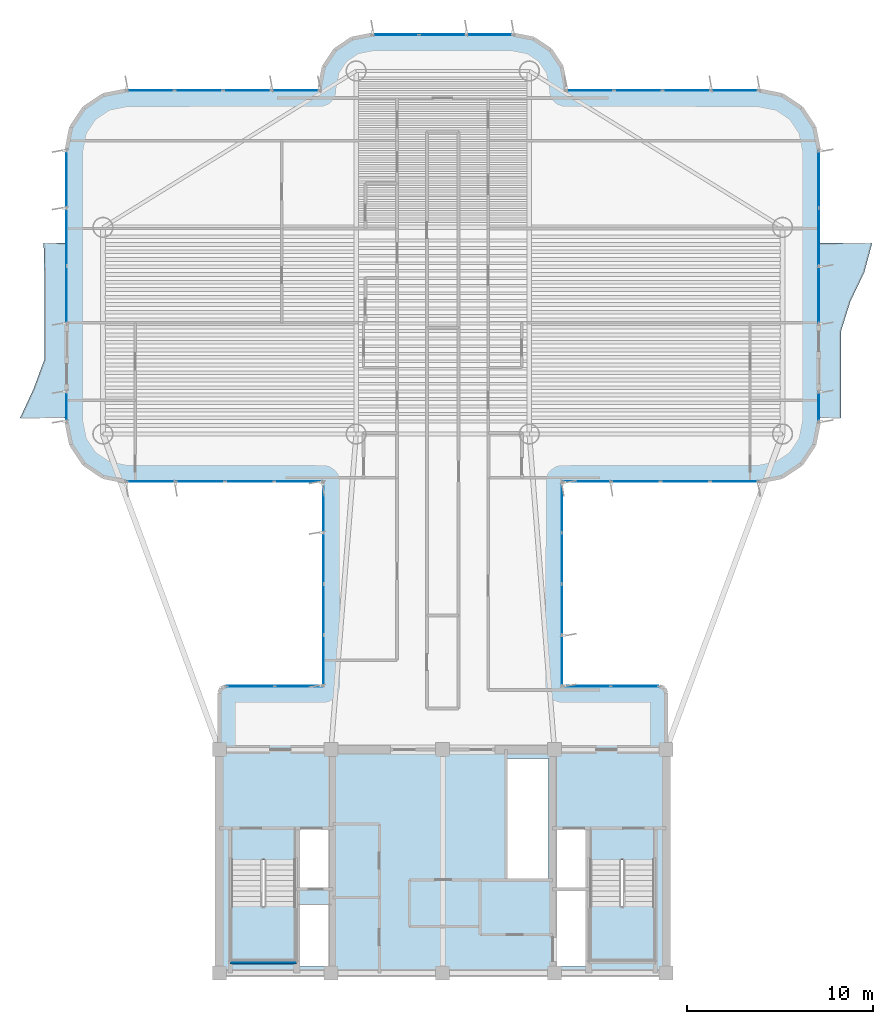
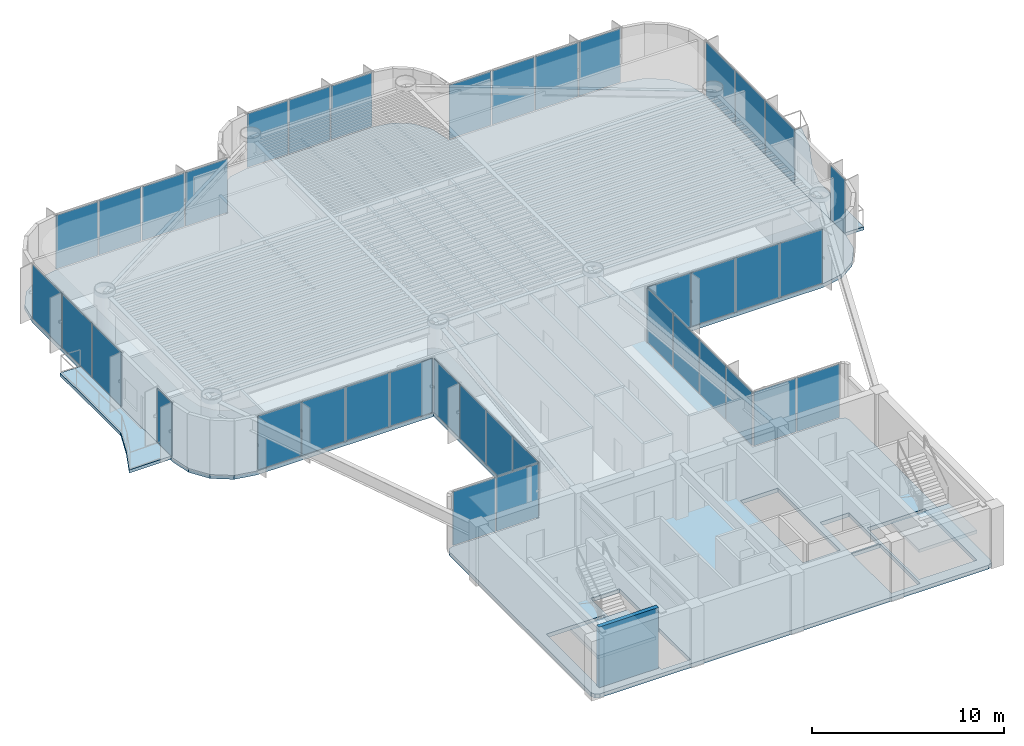
# One storey, part 8 of 14: 39 plates, 5 slabs, 1 wall, 15 elements without a shape of their own.
"""IFC4 building model written with IfcOpenShell, lengths in metres."""

from ifc_helpers import new_model, si_unit, direction, frame, frame_2d, origin, origin_2d, place, context, subcontext, project, spatial, polyline, rectangle, outline, extrude, source, transform, mapped, material, layer, layer_set, type_object, element, aggregate, save


model = new_model("IFC4")

# Units and contexts
model_context = context("Model", 3, precision=1e-05, world=origin(), true_north=direction((0.0, 1.0)))
body_context = subcontext(model_context, "Body", "Model", "MODEL_VIEW")
ifc_project = project(units=[si_unit("LENGTHUNIT", "METRE"), si_unit("AREAUNIT", "SQUARE_METRE"), si_unit("VOLUMEUNIT", "CUBIC_METRE"), si_unit("PLANEANGLEUNIT", "RADIAN"), si_unit("MASSUNIT", "GRAM", prefix="KILO")], contexts=[model_context])

# Site, building, storey
site_placement = place(None, origin())
site = spatial("IfcSite", under=ifc_project, at=site_placement, CompositionType="ELEMENT")
building_placement = place(site_placement, origin())
building = spatial("IfcBuilding", under=site, at=building_placement, Name="Brelvock Crest Care Tower", CompositionType="ELEMENT")
storey_placement = place(building_placement, frame((0.0, 0.0, 205.56005859375)))
storey = spatial("IfcBuildingStorey", under=building, at=storey_placement, Name="L52", CompositionType="ELEMENT", Elevation=205.56005859375)

# Slabs
ifc_material_1 = material(Name="Concrete N50 (50 MPa)", Category="concrete")
ifc_layer_1 = layer(ifc_material_1, 0.25, Name="SLB-FL3")
ifc_layer_set_1 = layer_set([ifc_layer_1], Name="Concrete N50 (50 MPa)")
slab_type_1 = type_object("IfcSlabType", Name="SLB-FL3", PredefinedType="FLOOR", material=ifc_layer_set_1)
slab_1_placement = place(storey_placement, frame((0.0, 0.0, -0.25)))
element("IfcSlab", 1, at=slab_1_placement, inside=storey, type_object=slab_type_1, Name="L52 Main Structural Slab", PredefinedType="FLOOR", context=body_context, shape_type="SweptSolid", body=[
    extrude(outline(polyline([(47.64990234375, 21.39990234375), (42.39990234375, 21.39990234375), (42.39990234375, 32.39990234375), (53.0, 32.39990234375), (54.224609375, 32.6435546875), (55.2626953125, 33.33740234375), (55.956298828125, 34.37548828125), (56.199951171875, 35.60009765625), (56.199951171875, 50.199951171875), (55.956298828125, 51.424560546875), (55.2626953125, 52.462646484375), (54.224609375, 53.156494140625), (53.0, 53.39990234375), (42.60009765625, 53.39990234375), (42.60009765625, 53.60009765625), (42.386962890625, 54.67138671875), (41.77978515625, 55.579833984375), (40.87158203125, 56.18701171875), (39.800048828125, 56.39990234375), (32.199951171875, 56.39990234375), (31.12841796875, 56.18701171875), (30.22021484375, 55.579833984375), (29.613037109375, 54.67138671875), (29.39990234375, 53.60009765625), (29.39990234375, 53.39990234375), (19.0, 53.39990234375), (17.775390625, 53.156494140625), (16.7373046875, 52.462646484375), (16.043701171875, 51.424560546875), (15.800048828125, 50.199951171875), (15.800048828125, 35.60009765625), (16.043701171875, 34.37548828125), (16.7373046875, 33.33740234375), (17.775390625, 32.6435546875), (19.0, 32.39990234375), (29.60009765625, 32.39990234375), (29.60009765625, 21.39990234375), (24.35009765625, 21.39990234375), (24.1025390625, 21.297607421875), (24.0, 21.050048828125), (24.0, 6.35009765625), (24.1025390625, 6.1025390625), (24.35009765625, 6.0), (47.64990234375, 6.0), (47.8974609375, 6.1025390625), (48.0, 6.35009765625), (48.0, 21.050048828125), (47.8974609375, 21.297607421875), (47.64990234375, 21.39990234375)]), holes=[polyline([(28.239990234375, 10.580078125), (29.97998046875, 10.580078125), (29.97998046875, 13.739990234375), (28.239990234375, 13.739990234375), (28.239990234375, 10.580078125)]), polyline([(42.02001953125, 10.580078125), (43.760009765625, 10.580078125), (43.760009765625, 13.739990234375), (42.02001953125, 13.739990234375), (42.02001953125, 10.580078125)]), polyline([(28.239990234375, 6.340087890625), (29.97998046875, 6.340087890625), (29.97998046875, 9.64990234375), (28.239990234375, 9.64990234375), (28.239990234375, 6.340087890625)]), polyline([(24.6298828125, 12.080078125), (24.6298828125, 6.699951171875), (28.110107421875, 6.699951171875), (28.110107421875, 12.080078125), (24.6298828125, 12.080078125)]), polyline([(43.889892578125, 12.080078125), (43.889892578125, 6.699951171875), (47.3701171875, 6.699951171875), (47.3701171875, 12.080078125), (43.889892578125, 12.080078125)]), polyline([(42.02001953125, 6.340087890625), (43.760009765625, 6.340087890625), (43.760009765625, 10.5), (42.02001953125, 10.5), (42.02001953125, 6.340087890625)]), polyline([(39.429931640625, 11.030029296875), (41.669921875, 11.030029296875), (41.669921875, 17.52001953125), (39.429931640625, 17.52001953125), (39.429931640625, 11.030029296875)])]), origin(), (0.0, 0.0, 1.0), 0.25),
])
ifc_layer_2 = layer(ifc_material_1, 0.199951171875, Name="SLB-WB2")
ifc_layer_set_2 = layer_set([ifc_layer_2], Name="Concrete N50 (50 MPa)")
slab_type_2 = type_object("IfcSlabType", Name="SLB-WB2", PredefinedType="FLOOR", material=ifc_layer_set_2)
slab_2_placement = place(storey_placement, frame((0.0, 0.0, -0.199951171875)))
element("IfcSlab", 2, at=slab_2_placement, inside=storey, type_object=slab_type_2, Name="L52 W Sinusoidal Wave Balcony Slab", PredefinedType="FLOOR", context=body_context, shape_type="SweptSolid", body=[
    extrude(outline(polyline([(15.800048828125, 45.199951171875), (14.565185546875, 45.199951171875), (14.60009765625, 43.63330078125), (14.60009765625, 42.066650390625), (14.60009765625, 40.5), (14.60009765625, 38.933349609375), (14.021484375, 37.36669921875), (13.29541015625, 35.800048828125), (15.800048828125, 35.800048828125), (15.800048828125, 45.199951171875)])), origin(), (0.0, 0.0, 1.0), 0.199951171875),
])
slab_3_placement = place(storey_placement, frame((0.0, 0.0, -0.199951171875)))
element("IfcSlab", 3, at=slab_3_placement, inside=storey, type_object=slab_type_2, Name="L52 E Sinusoidal Wave Balcony Slab", PredefinedType="FLOOR", context=body_context, shape_type="SweptSolid", body=[
    extrude(outline(polyline([(56.199951171875, 35.800048828125), (57.39990234375, 35.800048828125), (57.39990234375, 37.36669921875), (57.39990234375, 38.933349609375), (57.39990234375, 40.5), (57.89111328125, 42.066650390625), (58.64013671875, 43.63330078125), (59.062744140625, 45.199951171875), (56.199951171875, 45.199951171875), (56.199951171875, 35.800048828125)])), origin(), (0.0, 0.0, 1.0), 0.199951171875),
])

# Stair, slab
ifc_material_2 = material(Name="Concrete N40 (40 MPa)", Category="concrete")
stair_type = type_object("IfcStairType", Name="ST-CORE1", PredefinedType="HALF_TURN_STAIR", material=ifc_material_2)
stair_1_placement = place(storey_placement, origin())
stair_1 = element("IfcStair", 4, at=stair_1_placement, inside=storey, type_object=stair_type, Name="L52 Fire-Isolated Core Stair ST-1", PredefinedType="HALF_TURN_STAIR")
ifc_layer_3 = layer(ifc_material_2, 0.199951171875, Name="STL-1")
ifc_layer_set_3 = layer_set([ifc_layer_3], Name="Concrete N40 (40 MPa)")
slab_type_3 = type_object("IfcSlabType", Name="STL-1", PredefinedType="LANDING", material=ifc_layer_set_3)
slab_4_placement = place(storey_placement, frame((0.0, 0.0, 1.68994140625)))
slab_4 = element("IfcSlab", 5, at=slab_4_placement, type_object=slab_type_3, Name="ST-1 landing 1", PredefinedType="LANDING", context=body_context, shape_type="SweptSolid", body=[
    extrude(outline(polyline([(24.6298828125, 9.56005859375), (24.6298828125, 6.699951171875), (28.110107421875, 6.699951171875), (28.110107421875, 9.56005859375), (24.6298828125, 9.56005859375)])), origin(), (0.0, 0.0, 1.0), 0.199951171875),
])
aggregate(stair_1, [slab_4])

stair_2_placement = place(storey_placement, origin())
stair_2 = element("IfcStair", 6, at=stair_2_placement, inside=storey, type_object=stair_type, Name="L52 Fire-Isolated Core Stair ST-2", PredefinedType="HALF_TURN_STAIR")
slab_5_placement = place(storey_placement, frame((0.0, 0.0, 1.68994140625)))
slab_5 = element("IfcSlab", 7, at=slab_5_placement, type_object=slab_type_3, Name="ST-2 landing 1", PredefinedType="LANDING", context=body_context, shape_type="SweptSolid", body=[
    extrude(outline(polyline([(43.889892578125, 9.56005859375), (43.889892578125, 6.699951171875), (47.3701171875, 6.699951171875), (47.3701171875, 9.56005859375), (43.889892578125, 9.56005859375)])), origin(), (0.0, 0.0, 1.0), 0.199951171875),
])
aggregate(stair_2, [slab_5])

# Curtain wall, plates
ifc_material_3 = material(Name="Dark Glass Double Glazed Low-E", Category="glass")
ifc_layer_4 = layer(ifc_material_3, 0.22509765625, Name="CWS-4")
ifc_layer_set_4 = layer_set([ifc_layer_4], Name="Dark Glass Double Glazed Low-E")
curtain_wall_type = type_object("IfcCurtainWallType", Name="CWS-4", PredefinedType="NOTDEFINED", material=ifc_layer_set_4)
curtain_wall_1_placement = place(storey_placement, origin())
curtain_wall_1 = element("IfcCurtainWall", 8, at=curtain_wall_1_placement, inside=storey, type_object=curtain_wall_type, Name="L52 Curtain Wall E10", PredefinedType="NOTDEFINED")
ifc_layer_5 = layer(ifc_material_3, 0.0380859375, Name="CWP-V2")
ifc_layer_set_5 = layer_set([ifc_layer_5], Name="Dark Glass Double Glazed Low-E")
plate_type = type_object("IfcPlateType", Name="CWP-V2", PredefinedType="CURTAIN_PANEL", material=ifc_layer_set_5)
shared_shape_1 = source(origin(), body_context, "Body", "SweptSolid", [
    extrude(rectangle(XDim=2.534912109375, YDim=0.035888671875, at=origin_2d()), origin(), (0.0, 0.0, 1.0), 3.409912109375),
])
plate_1_placement = place(storey_placement, frame((25.677490234375, 21.39990234375, 0.06005859375), z_axis=(0.0, 0.0, 1.0), x_axis=(1.0, 0.0, 0.0)))
plate_1 = element("IfcPlate", 9, at=plate_1_placement, type_object=plate_type, Name="CW-4 panel 1.1", PredefinedType="CURTAIN_PANEL", context=body_context, shape_type="MappedRepresentation", body=[
    mapped(shared_shape_1, transform((0.0, 0.0, 0.0), x_axis=(1.0, 0.0, 0.0), y_axis=(0.0, 1.0, 0.0), z_axis=(0.0, 0.0, 1.0), scale=1.0)),
])
plate_2_placement = place(storey_placement, frame((28.2724609375, 21.39990234375, 0.06005859375), z_axis=(0.0, 0.0, 1.0), x_axis=(1.0, 0.0, 0.0)))
plate_2 = element("IfcPlate", 10, at=plate_2_placement, type_object=plate_type, Name="CW-4 panel 2.1", PredefinedType="CURTAIN_PANEL", context=body_context, shape_type="MappedRepresentation", body=[
    mapped(shared_shape_1, transform((0.0, 0.0, 0.0), x_axis=(1.0, 0.0, 0.0), y_axis=(0.0, 1.0, 0.0), z_axis=(0.0, 0.0, 1.0), scale=1.0)),
])
aggregate(curtain_wall_1, [plate_1, plate_2])

curtain_wall_2_placement = place(storey_placement, origin())
curtain_wall_2 = element("IfcCurtainWall", 11, at=curtain_wall_2_placement, inside=storey, type_object=curtain_wall_type, Name="L52 Curtain Wall E46", PredefinedType="NOTDEFINED")
plate_3_placement = place(storey_placement, frame((43.7275390625, 21.39990234375, 0.06005859375), z_axis=(0.0, 0.0, 1.0), x_axis=(1.0, 0.0, 0.0)))
plate_3 = element("IfcPlate", 12, at=plate_3_placement, type_object=plate_type, Name="CW-4 panel 1.1", PredefinedType="CURTAIN_PANEL", context=body_context, shape_type="MappedRepresentation", body=[
    mapped(shared_shape_1, transform((0.0, 0.0, 0.0), x_axis=(1.0, 0.0, 0.0), y_axis=(0.0, 1.0, 0.0), z_axis=(0.0, 0.0, 1.0), scale=1.0)),
])
plate_4_placement = place(storey_placement, frame((46.322509765625, 21.39990234375, 0.06005859375), z_axis=(0.0, 0.0, 1.0), x_axis=(1.0, 0.0, 0.0)))
plate_4 = element("IfcPlate", 13, at=plate_4_placement, type_object=plate_type, Name="CW-4 panel 2.1", PredefinedType="CURTAIN_PANEL", context=body_context, shape_type="MappedRepresentation", body=[
    mapped(shared_shape_1, transform((0.0, 0.0, 0.0), x_axis=(1.0, 0.0, 0.0), y_axis=(0.0, 1.0, 0.0), z_axis=(0.0, 0.0, 1.0), scale=1.0)),
])
aggregate(curtain_wall_2, [plate_3, plate_4])

curtain_wall_3_placement = place(storey_placement, origin())
curtain_wall_3 = element("IfcCurtainWall", 14, at=curtain_wall_3_placement, inside=storey, type_object=curtain_wall_type, Name="L52 Curtain Wall E11", PredefinedType="NOTDEFINED")
shared_shape_2 = source(origin(), body_context, "Body", "SweptSolid", [
    extrude(rectangle(XDim=2.659912109375, YDim=0.035888671875, at=origin_2d()), origin(), (0.0, 0.0, 1.0), 3.409912109375),
])
plate_5_placement = place(storey_placement, frame((29.60009765625, 22.7900390625, 0.06005859375), z_axis=(0.0, 0.0, 1.0), x_axis=(0.0, 1.0, 0.0)))
plate_5 = element("IfcPlate", 15, at=plate_5_placement, type_object=plate_type, Name="CW-4 panel 1.1", PredefinedType="CURTAIN_PANEL", context=body_context, shape_type="MappedRepresentation", body=[
    mapped(shared_shape_2, transform((0.0, 0.0, 0.0), x_axis=(1.0, 0.0, 0.0), y_axis=(0.0, 1.0, 0.0), z_axis=(0.0, 0.0, 1.0), scale=1.0)),
])
plate_6_placement = place(storey_placement, frame((29.60009765625, 31.010009765625, 0.06005859375), z_axis=(0.0, 0.0, 1.0), x_axis=(0.0, 1.0, 0.0)))
plate_6 = element("IfcPlate", 16, at=plate_6_placement, type_object=plate_type, Name="CW-4 panel 4.1", PredefinedType="CURTAIN_PANEL", context=body_context, shape_type="MappedRepresentation", body=[
    mapped(shared_shape_2, transform((0.0, 0.0, 0.0), x_axis=(1.0, 0.0, 0.0), y_axis=(0.0, 1.0, 0.0), z_axis=(0.0, 0.0, 1.0), scale=1.0)),
])

curtain_wall_4_placement = place(storey_placement, origin())
curtain_wall_4 = element("IfcCurtainWall", 17, at=curtain_wall_4_placement, inside=storey, type_object=curtain_wall_type, Name="L52 Curtain Wall E45", PredefinedType="NOTDEFINED")
plate_7_placement = place(storey_placement, frame((42.39990234375, 31.010009765625, 0.06005859375), z_axis=(0.0, 0.0, 1.0), x_axis=(0.0, -1.0, 0.0)))
plate_7 = element("IfcPlate", 18, at=plate_7_placement, type_object=plate_type, Name="CW-4 panel 1.1", PredefinedType="CURTAIN_PANEL", context=body_context, shape_type="MappedRepresentation", body=[
    mapped(shared_shape_2, transform((0.0, 0.0, 0.0), x_axis=(1.0, 0.0, 0.0), y_axis=(0.0, 1.0, 0.0), z_axis=(0.0, 0.0, 1.0), scale=1.0)),
])
plate_8_placement = place(storey_placement, frame((42.39990234375, 22.7900390625, 0.06005859375), z_axis=(0.0, 0.0, 1.0), x_axis=(0.0, -1.0, 0.0)))
plate_8 = element("IfcPlate", 19, at=plate_8_placement, type_object=plate_type, Name="CW-4 panel 4.1", PredefinedType="CURTAIN_PANEL", context=body_context, shape_type="MappedRepresentation", body=[
    mapped(shared_shape_2, transform((0.0, 0.0, 0.0), x_axis=(1.0, 0.0, 0.0), y_axis=(0.0, 1.0, 0.0), z_axis=(0.0, 0.0, 1.0), scale=1.0)),
])

# Plate
shared_shape_3 = source(origin(), body_context, "Body", "SweptSolid", [
    extrude(rectangle(XDim=2.68994140625, YDim=0.035888671875, at=origin_2d()), origin(), (0.0, 0.0, 1.0), 3.409912109375),
])
plate_9_placement = place(storey_placement, frame((29.60009765625, 25.52490234375, 0.06005859375), z_axis=(0.0, 0.0, 1.0), x_axis=(0.0, 1.0, 0.0)))
plate_9 = element("IfcPlate", 20, at=plate_9_placement, type_object=plate_type, Name="CW-4 panel 2.1", PredefinedType="CURTAIN_PANEL", context=body_context, shape_type="MappedRepresentation", body=[
    mapped(shared_shape_3, transform((0.0, 0.0, 0.0), x_axis=(1.0, 0.0, 0.0), y_axis=(0.0, 1.0, 0.0), z_axis=(0.0, 0.0, 1.0), scale=1.0)),
])

plate_10_placement = place(storey_placement, frame((29.60009765625, 28.27490234375, 0.06005859375), z_axis=(0.0, 0.0, 1.0), x_axis=(0.0, 1.0, 0.0)))
plate_10 = element("IfcPlate", 21, at=plate_10_placement, type_object=plate_type, Name="CW-4 panel 3.1", PredefinedType="CURTAIN_PANEL", context=body_context, shape_type="MappedRepresentation", body=[
    mapped(shared_shape_3, transform((0.0, 0.0, 0.0), x_axis=(1.0, 0.0, 0.0), y_axis=(0.0, 1.0, 0.0), z_axis=(0.0, 0.0, 1.0), scale=1.0)),
])

aggregate(curtain_wall_3, [plate_5, plate_9, plate_10, plate_6])

plate_11_placement = place(storey_placement, frame((42.39990234375, 28.27490234375, 0.06005859375), z_axis=(0.0, 0.0, 1.0), x_axis=(0.0, -1.0, 0.0)))
plate_11 = element("IfcPlate", 22, at=plate_11_placement, type_object=plate_type, Name="CW-4 panel 2.1", PredefinedType="CURTAIN_PANEL", context=body_context, shape_type="MappedRepresentation", body=[
    mapped(shared_shape_3, transform((0.0, 0.0, 0.0), x_axis=(1.0, 0.0, 0.0), y_axis=(0.0, 1.0, 0.0), z_axis=(0.0, 0.0, 1.0), scale=1.0)),
])

plate_12_placement = place(storey_placement, frame((42.39990234375, 25.52490234375, 0.06005859375), z_axis=(0.0, 0.0, 1.0), x_axis=(0.0, -1.0, 0.0)))
plate_12 = element("IfcPlate", 23, at=plate_12_placement, type_object=plate_type, Name="CW-4 panel 3.1", PredefinedType="CURTAIN_PANEL", context=body_context, shape_type="MappedRepresentation", body=[
    mapped(shared_shape_3, transform((0.0, 0.0, 0.0), x_axis=(1.0, 0.0, 0.0), y_axis=(0.0, 1.0, 0.0), z_axis=(0.0, 0.0, 1.0), scale=1.0)),
])

aggregate(curtain_wall_4, [plate_7, plate_11, plate_12, plate_8])

# Curtain wall, plates
curtain_wall_5_placement = place(storey_placement, origin())
curtain_wall_5 = element("IfcCurtainWall", 24, at=curtain_wall_5_placement, inside=storey, type_object=curtain_wall_type, Name="L52 Curtain Wall E12", PredefinedType="NOTDEFINED")
shared_shape_4 = source(origin(), body_context, "Body", "SweptSolid", [
    extrude(rectangle(XDim=2.56005859375, YDim=0.035888671875, at=origin_2d()), origin(), (0.0, 0.0, 1.0), 3.409912109375),
])
plate_13_placement = place(storey_placement, frame((28.260009765625, 32.39990234375, 0.06005859375), z_axis=(0.0, 0.0, 1.0), x_axis=(-1.0, 0.0, 0.0)))
plate_13 = element("IfcPlate", 25, at=plate_13_placement, type_object=plate_type, Name="CW-4 panel 1.1", PredefinedType="CURTAIN_PANEL", context=body_context, shape_type="MappedRepresentation", body=[
    mapped(shared_shape_4, transform((0.0, 0.0, 0.0), x_axis=(1.0, 0.0, 0.0), y_axis=(0.0, 1.0, 0.0), z_axis=(0.0, 0.0, 1.0), scale=1.0)),
])
plate_14_placement = place(storey_placement, frame((20.340087890625, 32.39990234375, 0.06005859375), z_axis=(0.0, 0.0, 1.0), x_axis=(-1.0, 0.0, 0.0)))
plate_14 = element("IfcPlate", 26, at=plate_14_placement, type_object=plate_type, Name="CW-4 panel 4.1", PredefinedType="CURTAIN_PANEL", context=body_context, shape_type="MappedRepresentation", body=[
    mapped(shared_shape_4, transform((0.0, 0.0, 0.0), x_axis=(1.0, 0.0, 0.0), y_axis=(0.0, 1.0, 0.0), z_axis=(0.0, 0.0, 1.0), scale=1.0)),
])

curtain_wall_6_placement = place(storey_placement, origin())
curtain_wall_6 = element("IfcCurtainWall", 27, at=curtain_wall_6_placement, inside=storey, type_object=curtain_wall_type, Name="L52 Curtain Wall E44", PredefinedType="NOTDEFINED")
plate_15_placement = place(storey_placement, frame((51.659912109375, 32.39990234375, 0.06005859375), z_axis=(0.0, 0.0, 1.0), x_axis=(-1.0, 0.0, 0.0)))
plate_15 = element("IfcPlate", 28, at=plate_15_placement, type_object=plate_type, Name="CW-4 panel 1.1", PredefinedType="CURTAIN_PANEL", context=body_context, shape_type="MappedRepresentation", body=[
    mapped(shared_shape_4, transform((0.0, 0.0, 0.0), x_axis=(1.0, 0.0, 0.0), y_axis=(0.0, 1.0, 0.0), z_axis=(0.0, 0.0, 1.0), scale=1.0)),
])
plate_16_placement = place(storey_placement, frame((43.739990234375, 32.39990234375, 0.06005859375), z_axis=(0.0, 0.0, 1.0), x_axis=(-1.0, 0.0, 0.0)))
plate_16 = element("IfcPlate", 29, at=plate_16_placement, type_object=plate_type, Name="CW-4 panel 4.1", PredefinedType="CURTAIN_PANEL", context=body_context, shape_type="MappedRepresentation", body=[
    mapped(shared_shape_4, transform((0.0, 0.0, 0.0), x_axis=(1.0, 0.0, 0.0), y_axis=(0.0, 1.0, 0.0), z_axis=(0.0, 0.0, 1.0), scale=1.0)),
])

# Plate
shared_shape_5 = source(origin(), body_context, "Body", "SweptSolid", [
    extrude(rectangle(XDim=2.590087890625, YDim=0.035888671875, at=origin_2d()), origin(), (0.0, 0.0, 1.0), 3.409912109375),
])
plate_17_placement = place(storey_placement, frame((25.625, 32.39990234375, 0.06005859375), z_axis=(0.0, 0.0, 1.0), x_axis=(-1.0, 0.0, 0.0)))
plate_17 = element("IfcPlate", 30, at=plate_17_placement, type_object=plate_type, Name="CW-4 panel 2.1", PredefinedType="CURTAIN_PANEL", context=body_context, shape_type="MappedRepresentation", body=[
    mapped(shared_shape_5, transform((0.0, 0.0, 0.0), x_axis=(1.0, 0.0, 0.0), y_axis=(0.0, 1.0, 0.0), z_axis=(0.0, 0.0, 1.0), scale=1.0)),
])

plate_18_placement = place(storey_placement, frame((22.97509765625, 32.39990234375, 0.06005859375), z_axis=(0.0, 0.0, 1.0), x_axis=(-1.0, 0.0, 0.0)))
plate_18 = element("IfcPlate", 31, at=plate_18_placement, type_object=plate_type, Name="CW-4 panel 3.1", PredefinedType="CURTAIN_PANEL", context=body_context, shape_type="MappedRepresentation", body=[
    mapped(shared_shape_5, transform((0.0, 0.0, 0.0), x_axis=(1.0, 0.0, 0.0), y_axis=(0.0, 1.0, 0.0), z_axis=(0.0, 0.0, 1.0), scale=1.0)),
])

aggregate(curtain_wall_5, [plate_13, plate_17, plate_18, plate_14])

plate_19_placement = place(storey_placement, frame((49.02490234375, 32.39990234375, 0.06005859375), z_axis=(0.0, 0.0, 1.0), x_axis=(-1.0, 0.0, 0.0)))
plate_19 = element("IfcPlate", 32, at=plate_19_placement, type_object=plate_type, Name="CW-4 panel 2.1", PredefinedType="CURTAIN_PANEL", context=body_context, shape_type="MappedRepresentation", body=[
    mapped(shared_shape_5, transform((0.0, 0.0, 0.0), x_axis=(1.0, 0.0, 0.0), y_axis=(0.0, 1.0, 0.0), z_axis=(0.0, 0.0, 1.0), scale=1.0)),
])

plate_20_placement = place(storey_placement, frame((46.375, 32.39990234375, 0.06005859375), z_axis=(0.0, 0.0, 1.0), x_axis=(-1.0, 0.0, 0.0)))
plate_20 = element("IfcPlate", 33, at=plate_20_placement, type_object=plate_type, Name="CW-4 panel 3.1", PredefinedType="CURTAIN_PANEL", context=body_context, shape_type="MappedRepresentation", body=[
    mapped(shared_shape_5, transform((0.0, 0.0, 0.0), x_axis=(1.0, 0.0, 0.0), y_axis=(0.0, 1.0, 0.0), z_axis=(0.0, 0.0, 1.0), scale=1.0)),
])

aggregate(curtain_wall_6, [plate_15, plate_19, plate_20, plate_16])

# Curtain wall, plates
curtain_wall_7_placement = place(storey_placement, origin())
curtain_wall_7 = element("IfcCurtainWall", 34, at=curtain_wall_7_placement, inside=storey, type_object=curtain_wall_type, Name="L52 Curtain Wall E22", PredefinedType="NOTDEFINED")
shared_shape_6 = source(origin(), body_context, "Body", "SweptSolid", [
    extrude(rectangle(XDim=2.510009765625, YDim=0.035888671875, at=origin_2d()), origin(), (0.0, 0.0, 1.0), 3.409912109375),
])
plate_21_placement = place(storey_placement, frame((20.31494140625, 53.39990234375, 0.06005859375), z_axis=(0.0, 0.0, 1.0), x_axis=(1.0, 0.0, 0.0)))
plate_21 = element("IfcPlate", 35, at=plate_21_placement, type_object=plate_type, Name="CW-4 panel 1.1", PredefinedType="CURTAIN_PANEL", context=body_context, shape_type="MappedRepresentation", body=[
    mapped(shared_shape_6, transform((0.0, 0.0, 0.0), x_axis=(1.0, 0.0, 0.0), y_axis=(0.0, 1.0, 0.0), z_axis=(0.0, 0.0, 1.0), scale=1.0)),
])
plate_22_placement = place(storey_placement, frame((28.0849609375, 53.39990234375, 0.06005859375), z_axis=(0.0, 0.0, 1.0), x_axis=(1.0, 0.0, 0.0)))
plate_22 = element("IfcPlate", 36, at=plate_22_placement, type_object=plate_type, Name="CW-4 panel 4.1", PredefinedType="CURTAIN_PANEL", context=body_context, shape_type="MappedRepresentation", body=[
    mapped(shared_shape_6, transform((0.0, 0.0, 0.0), x_axis=(1.0, 0.0, 0.0), y_axis=(0.0, 1.0, 0.0), z_axis=(0.0, 0.0, 1.0), scale=1.0)),
])

curtain_wall_8_placement = place(storey_placement, origin())
curtain_wall_8 = element("IfcCurtainWall", 37, at=curtain_wall_8_placement, inside=storey, type_object=curtain_wall_type, Name="L52 Curtain Wall E34", PredefinedType="NOTDEFINED")
plate_23_placement = place(storey_placement, frame((43.9150390625, 53.39990234375, 0.06005859375), z_axis=(0.0, 0.0, 1.0), x_axis=(1.0, 0.0, 0.0)))
plate_23 = element("IfcPlate", 38, at=plate_23_placement, type_object=plate_type, Name="CW-4 panel 1.1", PredefinedType="CURTAIN_PANEL", context=body_context, shape_type="MappedRepresentation", body=[
    mapped(shared_shape_6, transform((0.0, 0.0, 0.0), x_axis=(1.0, 0.0, 0.0), y_axis=(0.0, 1.0, 0.0), z_axis=(0.0, 0.0, 1.0), scale=1.0)),
])
plate_24_placement = place(storey_placement, frame((51.68505859375, 53.39990234375, 0.06005859375), z_axis=(0.0, 0.0, 1.0), x_axis=(1.0, 0.0, 0.0)))
plate_24 = element("IfcPlate", 39, at=plate_24_placement, type_object=plate_type, Name="CW-4 panel 4.1", PredefinedType="CURTAIN_PANEL", context=body_context, shape_type="MappedRepresentation", body=[
    mapped(shared_shape_6, transform((0.0, 0.0, 0.0), x_axis=(1.0, 0.0, 0.0), y_axis=(0.0, 1.0, 0.0), z_axis=(0.0, 0.0, 1.0), scale=1.0)),
])

# Plate
shared_shape_7 = source(origin(), body_context, "Body", "SweptSolid", [
    extrude(rectangle(XDim=2.5400390625, YDim=0.035888671875, at=origin_2d()), origin(), (0.0, 0.0, 1.0), 3.409912109375),
])
plate_25_placement = place(storey_placement, frame((22.89990234375, 53.39990234375, 0.06005859375), z_axis=(0.0, 0.0, 1.0), x_axis=(1.0, 0.0, 0.0)))
plate_25 = element("IfcPlate", 40, at=plate_25_placement, type_object=plate_type, Name="CW-4 panel 2.1", PredefinedType="CURTAIN_PANEL", context=body_context, shape_type="MappedRepresentation", body=[
    mapped(shared_shape_7, transform((0.0, 0.0, 0.0), x_axis=(1.0, 0.0, 0.0), y_axis=(0.0, 1.0, 0.0), z_axis=(0.0, 0.0, 1.0), scale=1.0)),
])

plate_26_placement = place(storey_placement, frame((25.5, 53.39990234375, 0.06005859375), z_axis=(0.0, 0.0, 1.0), x_axis=(1.0, 0.0, 0.0)))
plate_26 = element("IfcPlate", 41, at=plate_26_placement, type_object=plate_type, Name="CW-4 panel 3.1", PredefinedType="CURTAIN_PANEL", context=body_context, shape_type="MappedRepresentation", body=[
    mapped(shared_shape_7, transform((0.0, 0.0, 0.0), x_axis=(1.0, 0.0, 0.0), y_axis=(0.0, 1.0, 0.0), z_axis=(0.0, 0.0, 1.0), scale=1.0)),
])

aggregate(curtain_wall_7, [plate_21, plate_25, plate_26, plate_22])

plate_27_placement = place(storey_placement, frame((46.5, 53.39990234375, 0.06005859375), z_axis=(0.0, 0.0, 1.0), x_axis=(1.0, 0.0, 0.0)))
plate_27 = element("IfcPlate", 42, at=plate_27_placement, type_object=plate_type, Name="CW-4 panel 2.1", PredefinedType="CURTAIN_PANEL", context=body_context, shape_type="MappedRepresentation", body=[
    mapped(shared_shape_7, transform((0.0, 0.0, 0.0), x_axis=(1.0, 0.0, 0.0), y_axis=(0.0, 1.0, 0.0), z_axis=(0.0, 0.0, 1.0), scale=1.0)),
])

plate_28_placement = place(storey_placement, frame((49.10009765625, 53.39990234375, 0.06005859375), z_axis=(0.0, 0.0, 1.0), x_axis=(1.0, 0.0, 0.0)))
plate_28 = element("IfcPlate", 43, at=plate_28_placement, type_object=plate_type, Name="CW-4 panel 3.1", PredefinedType="CURTAIN_PANEL", context=body_context, shape_type="MappedRepresentation", body=[
    mapped(shared_shape_7, transform((0.0, 0.0, 0.0), x_axis=(1.0, 0.0, 0.0), y_axis=(0.0, 1.0, 0.0), z_axis=(0.0, 0.0, 1.0), scale=1.0)),
])

aggregate(curtain_wall_8, [plate_23, plate_27, plate_28, plate_24])

# Curtain wall, plates
curtain_wall_9_placement = place(storey_placement, origin())
curtain_wall_9 = element("IfcCurtainWall", 44, at=curtain_wall_9_placement, inside=storey, type_object=curtain_wall_type, Name="L52 Curtain Wall E28", PredefinedType="NOTDEFINED")
shared_shape_8 = source(origin(), body_context, "Body", "SweptSolid", [
    extrude(rectangle(XDim=2.443359375, YDim=0.035888671875, at=origin_2d()), origin(), (0.0, 0.0, 1.0), 3.409912109375),
])
plate_29_placement = place(storey_placement, frame((33.481689453125, 56.39990234375, 0.06005859375), z_axis=(0.0, 0.0, 1.0), x_axis=(1.0, 0.0, 0.0)))
plate_29 = element("IfcPlate", 45, at=plate_29_placement, type_object=plate_type, Name="CW-4 panel 1.1", PredefinedType="CURTAIN_PANEL", context=body_context, shape_type="MappedRepresentation", body=[
    mapped(shared_shape_8, transform((0.0, 0.0, 0.0), x_axis=(1.0, 0.0, 0.0), y_axis=(0.0, 1.0, 0.0), z_axis=(0.0, 0.0, 1.0), scale=1.0)),
])
plate_30_placement = place(storey_placement, frame((38.518310546875, 56.39990234375, 0.06005859375), z_axis=(0.0, 0.0, 1.0), x_axis=(1.0, 0.0, 0.0)))
plate_30 = element("IfcPlate", 46, at=plate_30_placement, type_object=plate_type, Name="CW-4 panel 3.1", PredefinedType="CURTAIN_PANEL", context=body_context, shape_type="MappedRepresentation", body=[
    mapped(shared_shape_8, transform((0.0, 0.0, 0.0), x_axis=(1.0, 0.0, 0.0), y_axis=(0.0, 1.0, 0.0), z_axis=(0.0, 0.0, 1.0), scale=1.0)),
])
shared_shape_9 = source(origin(), body_context, "Body", "SweptSolid", [
    extrude(rectangle(XDim=2.473388671875, YDim=0.035888671875, at=origin_2d()), origin(), (0.0, 0.0, 1.0), 3.409912109375),
])
plate_31_placement = place(storey_placement, frame((36.0, 56.39990234375, 0.06005859375), z_axis=(0.0, 0.0, 1.0), x_axis=(1.0, 0.0, 0.0)))
plate_31 = element("IfcPlate", 47, at=plate_31_placement, type_object=plate_type, Name="CW-4 panel 2.1", PredefinedType="CURTAIN_PANEL", context=body_context, shape_type="MappedRepresentation", body=[
    mapped(shared_shape_9, transform((0.0, 0.0, 0.0), x_axis=(1.0, 0.0, 0.0), y_axis=(0.0, 1.0, 0.0), z_axis=(0.0, 0.0, 1.0), scale=1.0)),
])
aggregate(curtain_wall_9, [plate_29, plate_31, plate_30])

# Curtain wall, plate
curtain_wall_10_placement = place(storey_placement, origin())
curtain_wall_10 = element("IfcCurtainWall", 48, at=curtain_wall_10_placement, inside=storey, type_object=curtain_wall_type, Name="L52 Curtain Wall E17A", PredefinedType="NOTDEFINED")
shared_shape_10 = source(origin(), body_context, "Body", "SweptSolid", [
    extrude(rectangle(XDim=1.530029296875, YDim=0.035888671875, at=origin_2d()), origin(), (0.0, 0.0, 1.0), 3.409912109375),
])
plate_32_placement = place(storey_placement, frame((15.800048828125, 36.425048828125, 0.06005859375), z_axis=(0.0, 0.0, 1.0), x_axis=(0.0, 1.0, 0.0)))
plate_32 = element("IfcPlate", 49, at=plate_32_placement, type_object=plate_type, Name="CW-4 panel 1.1", PredefinedType="CURTAIN_PANEL", context=body_context, shape_type="MappedRepresentation", body=[
    mapped(shared_shape_10, transform((0.0, 0.0, 0.0), x_axis=(1.0, 0.0, 0.0), y_axis=(0.0, 1.0, 0.0), z_axis=(0.0, 0.0, 1.0), scale=1.0)),
])
aggregate(curtain_wall_10, [plate_32])

curtain_wall_11_placement = place(storey_placement, origin())
curtain_wall_11 = element("IfcCurtainWall", 50, at=curtain_wall_11_placement, inside=storey, type_object=curtain_wall_type, Name="L52 Curtain Wall E39B", PredefinedType="NOTDEFINED")
plate_33_placement = place(storey_placement, frame((56.199951171875, 36.425048828125, 0.06005859375), z_axis=(0.0, 0.0, 1.0), x_axis=(0.0, -1.0, 0.0)))
plate_33 = element("IfcPlate", 51, at=plate_33_placement, type_object=plate_type, Name="CW-4 panel 1.1", PredefinedType="CURTAIN_PANEL", context=body_context, shape_type="MappedRepresentation", body=[
    mapped(shared_shape_10, transform((0.0, 0.0, 0.0), x_axis=(1.0, 0.0, 0.0), y_axis=(0.0, 1.0, 0.0), z_axis=(0.0, 0.0, 1.0), scale=1.0)),
])
aggregate(curtain_wall_11, [plate_33])

# Curtain wall, plates
curtain_wall_12_placement = place(storey_placement, origin())
curtain_wall_12 = element("IfcCurtainWall", 52, at=curtain_wall_12_placement, inside=storey, type_object=curtain_wall_type, Name="L52 Curtain Wall E17B", PredefinedType="NOTDEFINED")
shared_shape_11 = source(origin(), body_context, "Body", "SweptSolid", [
    extrude(rectangle(XDim=3.026611328125, YDim=0.035888671875, at=origin_2d()), origin(), (0.0, 0.0, 1.0), 3.409912109375),
])
plate_34_placement = place(storey_placement, frame((15.800048828125, 42.42333984375, 0.06005859375), z_axis=(0.0, 0.0, 1.0), x_axis=(0.0, 1.0, 0.0)))
plate_34 = element("IfcPlate", 53, at=plate_34_placement, type_object=plate_type, Name="CW-4 panel 1.1", PredefinedType="CURTAIN_PANEL", context=body_context, shape_type="MappedRepresentation", body=[
    mapped(shared_shape_11, transform((0.0, 0.0, 0.0), x_axis=(1.0, 0.0, 0.0), y_axis=(0.0, 1.0, 0.0), z_axis=(0.0, 0.0, 1.0), scale=1.0)),
])
plate_35_placement = place(storey_placement, frame((15.800048828125, 48.626708984375, 0.06005859375), z_axis=(0.0, 0.0, 1.0), x_axis=(0.0, 1.0, 0.0)))
plate_35 = element("IfcPlate", 54, at=plate_35_placement, type_object=plate_type, Name="CW-4 panel 3.1", PredefinedType="CURTAIN_PANEL", context=body_context, shape_type="MappedRepresentation", body=[
    mapped(shared_shape_11, transform((0.0, 0.0, 0.0), x_axis=(1.0, 0.0, 0.0), y_axis=(0.0, 1.0, 0.0), z_axis=(0.0, 0.0, 1.0), scale=1.0)),
])

curtain_wall_13_placement = place(storey_placement, origin())
curtain_wall_13 = element("IfcCurtainWall", 55, at=curtain_wall_13_placement, inside=storey, type_object=curtain_wall_type, Name="L52 Curtain Wall E39A", PredefinedType="NOTDEFINED")
plate_36_placement = place(storey_placement, frame((56.199951171875, 48.626708984375, 0.06005859375), z_axis=(0.0, 0.0, 1.0), x_axis=(0.0, -1.0, 0.0)))
plate_36 = element("IfcPlate", 56, at=plate_36_placement, type_object=plate_type, Name="CW-4 panel 1.1", PredefinedType="CURTAIN_PANEL", context=body_context, shape_type="MappedRepresentation", body=[
    mapped(shared_shape_11, transform((0.0, 0.0, 0.0), x_axis=(1.0, 0.0, 0.0), y_axis=(0.0, 1.0, 0.0), z_axis=(0.0, 0.0, 1.0), scale=1.0)),
])
plate_37_placement = place(storey_placement, frame((56.199951171875, 42.42333984375, 0.06005859375), z_axis=(0.0, 0.0, 1.0), x_axis=(0.0, -1.0, 0.0)))
plate_37 = element("IfcPlate", 57, at=plate_37_placement, type_object=plate_type, Name="CW-4 panel 3.1", PredefinedType="CURTAIN_PANEL", context=body_context, shape_type="MappedRepresentation", body=[
    mapped(shared_shape_11, transform((0.0, 0.0, 0.0), x_axis=(1.0, 0.0, 0.0), y_axis=(0.0, 1.0, 0.0), z_axis=(0.0, 0.0, 1.0), scale=1.0)),
])

# Plate
shared_shape_12 = source(origin(), body_context, "Body", "SweptSolid", [
    extrude(rectangle(XDim=3.056640625, YDim=0.035888671875, at=origin_2d()), origin(), (0.0, 0.0, 1.0), 3.409912109375),
])
plate_38_placement = place(storey_placement, frame((15.800048828125, 45.52490234375, 0.06005859375), z_axis=(0.0, 0.0, 1.0), x_axis=(0.0, 1.0, 0.0)))
plate_38 = element("IfcPlate", 58, at=plate_38_placement, type_object=plate_type, Name="CW-4 panel 2.1", PredefinedType="CURTAIN_PANEL", context=body_context, shape_type="MappedRepresentation", body=[
    mapped(shared_shape_12, transform((0.0, 0.0, 0.0), x_axis=(1.0, 0.0, 0.0), y_axis=(0.0, 1.0, 0.0), z_axis=(0.0, 0.0, 1.0), scale=1.0)),
])

aggregate(curtain_wall_12, [plate_34, plate_38, plate_35])

plate_39_placement = place(storey_placement, frame((56.199951171875, 45.52490234375, 0.06005859375), z_axis=(0.0, 0.0, 1.0), x_axis=(0.0, -1.0, 0.0)))
plate_39 = element("IfcPlate", 59, at=plate_39_placement, type_object=plate_type, Name="CW-4 panel 2.1", PredefinedType="CURTAIN_PANEL", context=body_context, shape_type="MappedRepresentation", body=[
    mapped(shared_shape_12, transform((0.0, 0.0, 0.0), x_axis=(1.0, 0.0, 0.0), y_axis=(0.0, 1.0, 0.0), z_axis=(0.0, 0.0, 1.0), scale=1.0)),
])

aggregate(curtain_wall_13, [plate_36, plate_39, plate_37])

# Wall
ifc_material_4 = material(Name="Concrete S80 (80 MPa)", Category="concrete")
ifc_layer_6 = layer(ifc_material_4, 0.25, Name="WL-CS6")
ifc_layer_set_6 = layer_set([ifc_layer_6], Name="Concrete S80 (80 MPa)")
wall_type = type_object("IfcWallType", Name="WL-CS6", PredefinedType="SHEAR", material=ifc_layer_set_6)
wall_placement = place(storey_placement, frame((24.580078125, 6.6201171875, 0.0), z_axis=(0.0, 0.0, 1.0), x_axis=(1.0, 0.0, 0.0)))
element("IfcWall", 60, at=wall_placement, inside=storey, type_object=wall_type, Name="L52 Core Stair ST-1 South Shear Wall", PredefinedType="SHEAR", context=body_context, shape_type="SweptSolid", body=[
    extrude(rectangle(XDim=3.56982421875, YDim=0.25, at=frame_2d((1.784912109375, 0.0))), origin(), (0.0, 0.0, 1.0), 3.849853515625),
])

save(model, "model.ifc")
